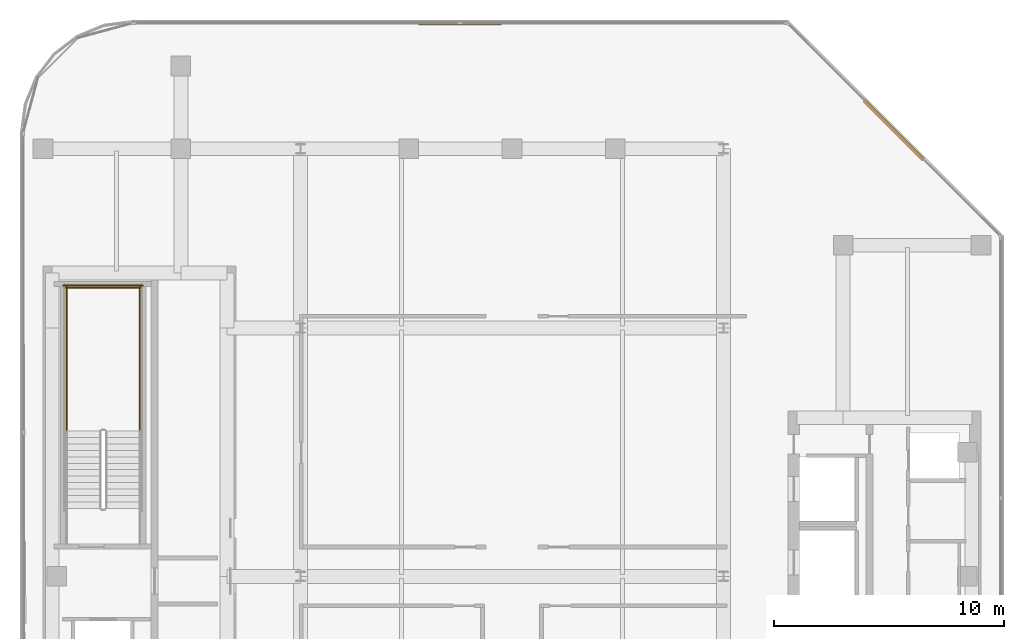
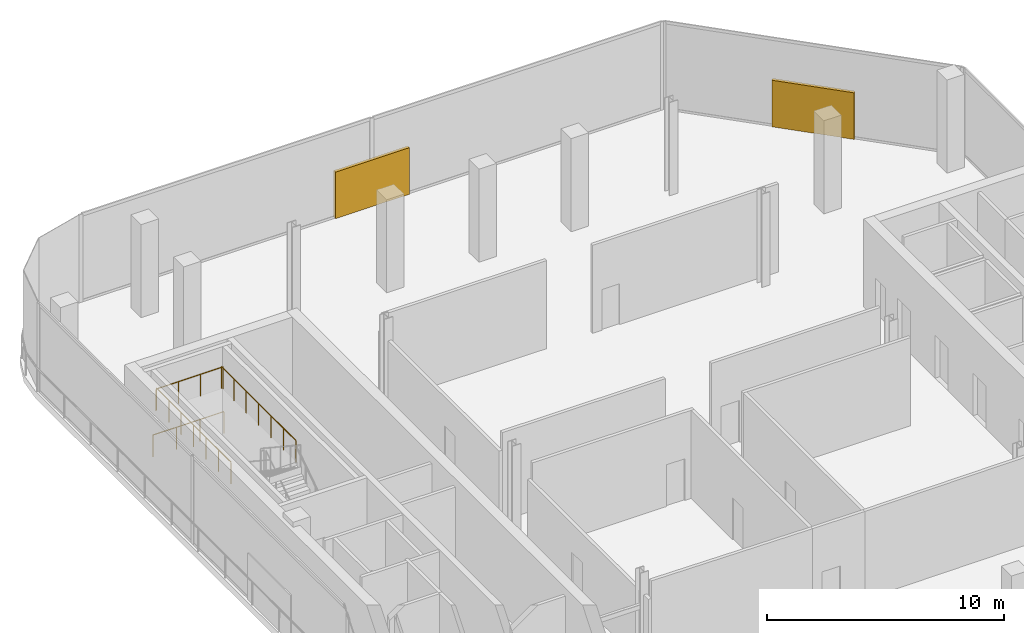
# One storey, part 13 of 13: 4 railings, 2 shading devices.
"""IFC4 building model written with IfcOpenShell, lengths in metres."""

from ifc_helpers import new_model, si_unit, direction, frame, origin, origin_2d, place, context, subcontext, project, spatial, rectangle, circle, extrude, material, layer, layer_set, type_object, element, save


model = new_model("IFC4")

# Units and contexts
model_context = context("Model", 3, precision=1e-05, world=origin(), true_north=direction((0.0, 1.0)))
body_context = subcontext(model_context, "Body", "Model", "MODEL_VIEW")
ifc_project = project(units=[si_unit("LENGTHUNIT", "METRE"), si_unit("AREAUNIT", "SQUARE_METRE"), si_unit("VOLUMEUNIT", "CUBIC_METRE"), si_unit("PLANEANGLEUNIT", "RADIAN"), si_unit("MASSUNIT", "GRAM", prefix="KILO")], contexts=[model_context])

# Site, building, storey
site_placement = place(None, origin())
site = spatial("IfcSite", under=ifc_project, at=site_placement, CompositionType="ELEMENT")
building_placement = place(site_placement, origin())
building = spatial("IfcBuilding", under=site, at=building_placement, Name="Khairoan Windgate Tower", CompositionType="ELEMENT")
storey_placement = place(building_placement, frame((0.0, 0.0, 272.800048828125)))
storey = spatial("IfcBuildingStorey", under=building, at=storey_placement, Name="L65", CompositionType="ELEMENT", Elevation=272.800048828125)

# Shading devices
ifc_material_1 = material(Name="Anodised Bronze Aluminium 6063-T6", Category="aluminium")
ifc_layer = layer(ifc_material_1, 0.14990234375, Name="Anodised Bronze Aluminium 6063-T6")
ifc_layer_set = layer_set([ifc_layer], Name="Anodised Bronze Aluminium 6063-T6")
shading_device_type = type_object("IfcShadingDeviceType", Name="Acoustic Bronze Plant Weather Louvre BWL-1", PredefinedType="JALOUSIE", material=ifc_layer_set)
for number, where, z_axis, x_axis, name in (
    (1, (-2.264404296875, 24.06005859375, 0.0), (0.0, 0.0, 1.0), (1.0, 0.0, 0.0), "L65 Acoustic Bronze Plant Louvre 7"),
    (2, (16.611083984375, 19.410888671875, 0.0), (0.0, 0.0, 1.0), (0.707106781187, -0.707106781187, 0.0), "L65 Acoustic Bronze Plant Louvre 8"),
):
    element("IfcShadingDevice", number, at=place(storey_placement, frame(where, z_axis=z_axis, x_axis=x_axis)), inside=storey, type_object=shading_device_type, Name=name, PredefinedType="JALOUSIE", context=body_context, shape_type="SweptSolid", body=[
        extrude(rectangle(XDim=3.60009765625, YDim=0.14990234375, at=origin_2d()), origin(), (0.0, 0.0, 1.0), 2.39990234375),
    ])

# Railings
ifc_material_2 = material(Name="Steel S355", Category="steel")
railing_type = type_object("IfcRailingType", Name="Stairwell Safety Guardrail SGR-1150", PredefinedType="GUARDRAIL", material=ifc_material_2)
for number, where, name in (
    (3, (-16.199951171875, 6.320068359375, 2.39990234375), "L65 ST2 stair guard 3"),
    (4, (-19.3701171875, 6.320068359375, 2.39990234375), "L65 ST2 stair guard 4"),
):
    element("IfcRailing", number, at=place(storey_placement, frame(where)), inside=storey, type_object=railing_type, Name=name, PredefinedType="GUARDRAIL", context=body_context, shape_type="SweptSolid", body=[
        extrude(circle(Radius=0.02392578125, at=origin_2d()), frame((0.0, 0.0, 1.1259765625), z_axis=(0.0, 1.0, 0.0), x_axis=(-1.0, 0.0, 0.0)), (0.0, 0.0, 1.0), 6.280029296875),
        extrude(circle(Radius=0.02099609375, at=origin_2d()), origin(), (0.0, 0.0, 1.0), 1.101806640625),
        extrude(circle(Radius=0.02099609375, at=origin_2d()), frame((0.0, 1.046630859375, 0.0)), (0.0, 0.0, 1.0), 1.101806640625),
        extrude(circle(Radius=0.02099609375, at=origin_2d()), frame((0.0, 2.09326171875, 0.0)), (0.0, 0.0, 1.0), 1.101806640625),
        extrude(circle(Radius=0.02099609375, at=origin_2d()), frame((0.0, 3.14013671875, 0.0)), (0.0, 0.0, 1.0), 1.101806640625),
        extrude(circle(Radius=0.02099609375, at=origin_2d()), frame((0.0, 4.186767578125, 0.0)), (0.0, 0.0, 1.0), 1.101806640625),
        extrude(circle(Radius=0.02099609375, at=origin_2d()), frame((0.0, 5.2333984375, 0.0)), (0.0, 0.0, 1.0), 1.101806640625),
        extrude(circle(Radius=0.02099609375, at=origin_2d()), frame((0.0, 6.280029296875, 0.0)), (0.0, 0.0, 1.0), 1.101806640625),
    ])
railing_1_placement = place(storey_placement, frame((-16.14990234375, 12.550048828125, 2.39990234375)))
element("IfcRailing", 5, at=railing_1_placement, inside=storey, type_object=railing_type, Name="L65 ST2 stair guard 5", PredefinedType="GUARDRAIL", context=body_context, shape_type="SweptSolid", body=[
    extrude(circle(Radius=0.02392578125, at=origin_2d()), frame((0.0, 0.0, 1.1259765625), z_axis=(-1.0, 0.0, 0.0), x_axis=(0.0, -1.0, 0.0)), (0.0, 0.0, 1.0), 3.27001953125),
    extrude(circle(Radius=0.02099609375, at=origin_2d()), origin(), (0.0, 0.0, 1.0), 1.101806640625),
    extrude(circle(Radius=0.02099609375, at=origin_2d()), frame((-1.090087890625, 0.0, 0.0)), (0.0, 0.0, 1.0), 1.101806640625),
    extrude(circle(Radius=0.02099609375, at=origin_2d()), frame((-2.179931640625, 0.0, 0.0)), (0.0, 0.0, 1.0), 1.101806640625),
    extrude(circle(Radius=0.02099609375, at=origin_2d()), frame((-3.27001953125, 0.0, 0.0)), (0.0, 0.0, 1.0), 1.101806640625),
])
railing_2_placement = place(storey_placement, frame((-16.050048828125, 12.64990234375, 0.0)))
element("IfcRailing", 6, at=railing_2_placement, inside=storey, type_object=railing_type, Name="L65 ST2 stair guard 12", PredefinedType="GUARDRAIL", context=body_context, shape_type="SweptSolid", body=[
    extrude(circle(Radius=0.02392578125, at=origin_2d()), frame((0.0, 0.0, 1.1259765625), z_axis=(-1.0, 0.0, 0.0), x_axis=(0.0, -1.0, 0.0)), (0.0, 0.0, 1.0), 3.469970703125),
    extrude(circle(Radius=0.02099609375, at=origin_2d()), origin(), (0.0, 0.0, 1.0), 1.101806640625),
    extrude(circle(Radius=0.02099609375, at=origin_2d()), frame((-1.15673828125, 0.0, 0.0)), (0.0, 0.0, 1.0), 1.101806640625),
    extrude(circle(Radius=0.02099609375, at=origin_2d()), frame((-2.313232421875, 0.0, 0.0)), (0.0, 0.0, 1.0), 1.101806640625),
    extrude(circle(Radius=0.02099609375, at=origin_2d()), frame((-3.469970703125, 0.0, 0.0)), (0.0, 0.0, 1.0), 1.101806640625),
])

save(model, "model.ifc")
